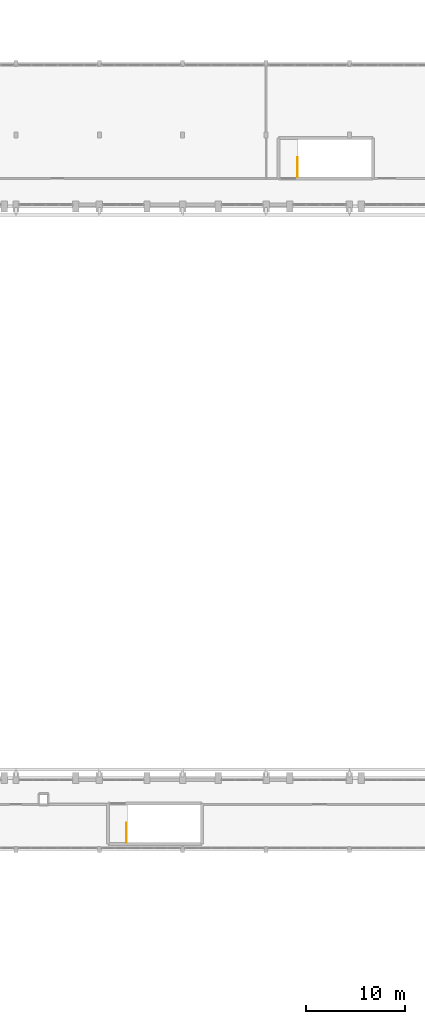
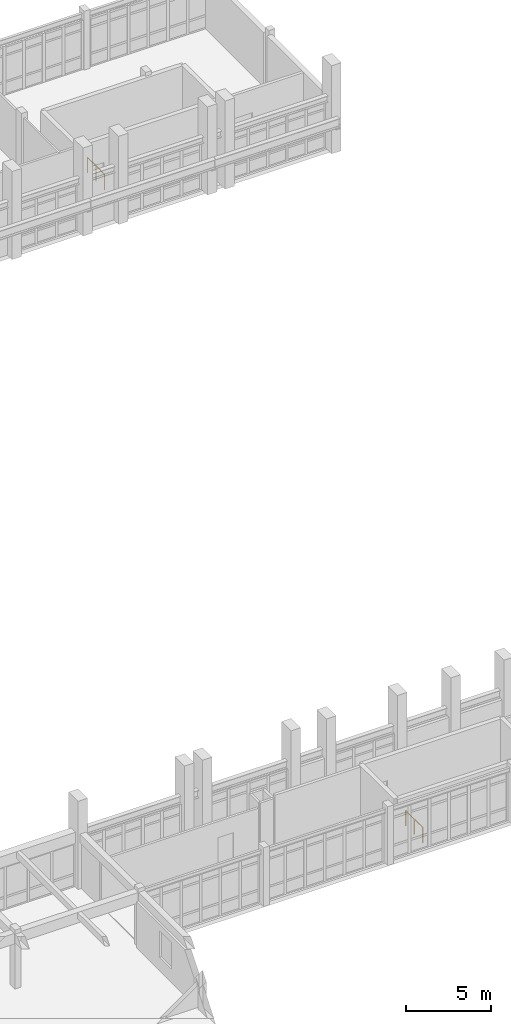
# One storey, part 147 of 147: 2 railings.
"""IFC4 building model written with IfcOpenShell, lengths in metres."""

from ifc_helpers import new_model, si_unit, direction, frame, origin, origin_2d, place, context, subcontext, project, spatial, circle, extrude, material, layer, layer_set, type_object, element, save


model = new_model("IFC4")

# Units and contexts
model_context = context("Model", 3, precision=1e-05, world=origin(), true_north=direction((0.0, 1.0)))
body_context = subcontext(model_context, "Body", "Model", "MODEL_VIEW")
ifc_project = project(units=[si_unit("LENGTHUNIT", "METRE"), si_unit("AREAUNIT", "SQUARE_METRE"), si_unit("VOLUMEUNIT", "CUBIC_METRE"), si_unit("PLANEANGLEUNIT", "RADIAN"), si_unit("MASSUNIT", "GRAM", prefix="KILO")], contexts=[model_context])

# Site, building, storey
site_placement = place(None, origin())
site = spatial("IfcSite", under=ifc_project, at=site_placement, CompositionType="ELEMENT")
building_placement = place(site_placement, origin())
building = spatial("IfcBuilding", under=site, at=building_placement, Name="Malvenik Polytechnic", CompositionType="ELEMENT")
storey_placement = place(building_placement, frame((0.0, 0.0, 5.10009765625)))
storey = spatial("IfcBuildingStorey", under=building, at=storey_placement, Name="L01", CompositionType="ELEMENT", Elevation=5.10009765625)

# Railings
ifc_material = material(Name="Painted galvanised steel stair well balustrade 1100mm", Category="steel")
ifc_layer = layer(ifc_material, 0.050048828125)
ifc_layer_set = layer_set([ifc_layer], Name="Painted galvanised steel stair well balustrade 1100mm")
railing_type = type_object("IfcRailingType", Name="ARC-RL-STGD", PredefinedType="BALUSTRADE", material=ifc_layer_set)
for number, where, name in (
    (1, (171.14990234375, 96.550048828125, 0.0), "L01 ST-12 top well guard 1"),
    (2, (153.949951171875, 29.5, 0.0), "L01 ST-13 top well guard 1"),
):
    element("IfcRailing", number, at=place(storey_placement, frame(where)), inside=storey, type_object=railing_type, Name=name, PredefinedType="BALUSTRADE", context=body_context, shape_type="SweptSolid", body=[
        extrude(circle(Radius=0.02392578125, at=origin_2d()), frame((0.0, 0.0, 1.076171875), z_axis=(0.0, 1.0, 0.0), x_axis=(-1.0, 0.0, 0.0)), (0.0, 0.0, 1.0), 2.0),
        extrude(circle(Radius=0.02099609375, at=origin_2d()), origin(), (0.0, 0.0, 1.0), 1.052001953125),
        extrude(circle(Radius=0.02099609375, at=origin_2d()), frame((0.0, 1.0, 0.0)), (0.0, 0.0, 1.0), 1.052001953125),
        extrude(circle(Radius=0.02099609375, at=origin_2d()), frame((0.0, 2.0, 0.0)), (0.0, 0.0, 1.0), 1.052001953125),
    ])

save(model, "model.ifc")
